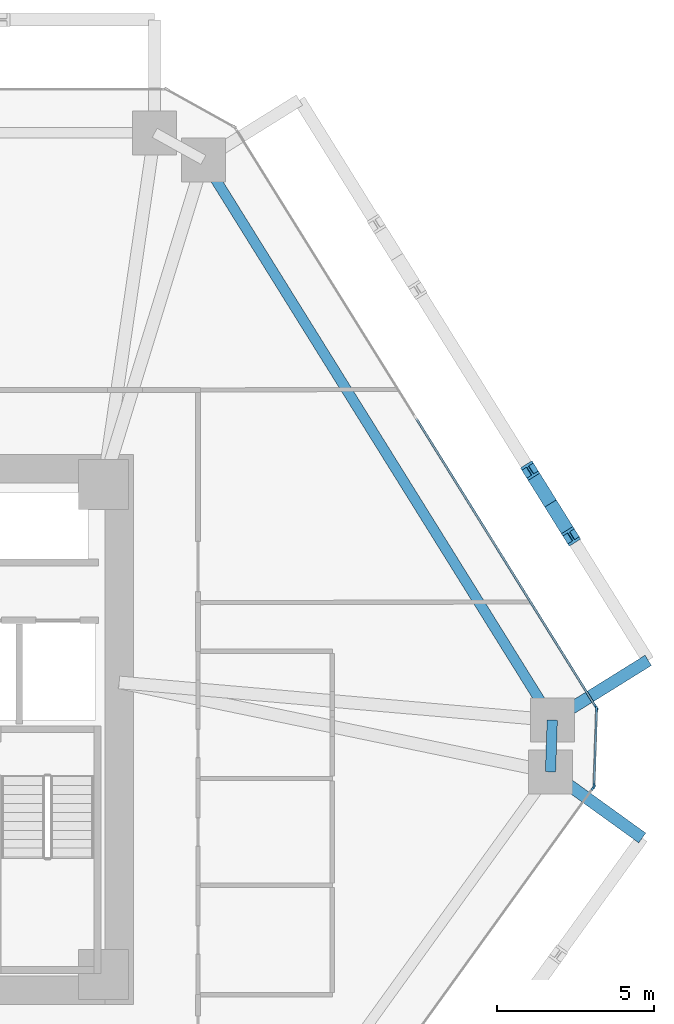
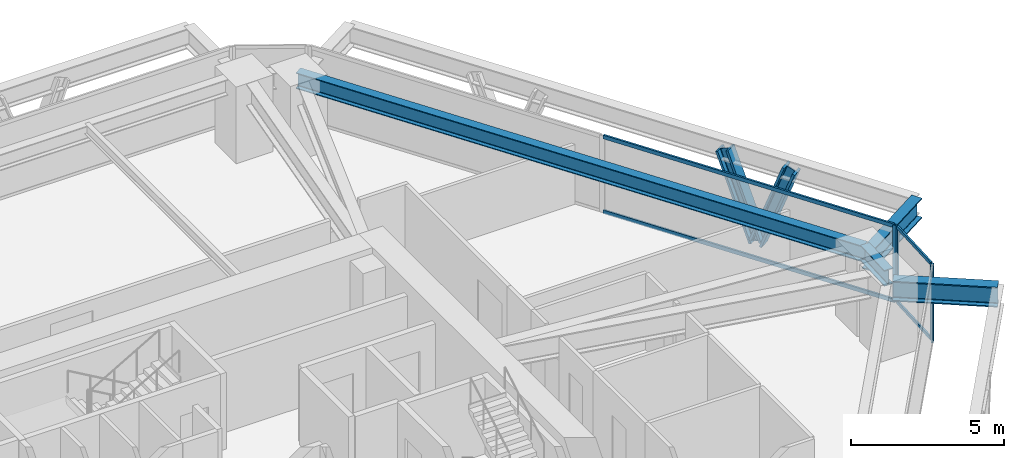
# One storey, part 6 of 14: 10 members, 4 beams, 3 elements without a shape of their own.
"""IFC4 building model written with IfcOpenShell, lengths in metres."""

from ifc_helpers import new_model, si_unit, direction, frame, origin, origin_2d, place, context, subcontext, project, spatial, rectangle, i_section, extrude, source, transform, mapped, material, layer, layer_set, material_profile, profile_set, type_object, type_shapes, element, aggregate, save


model = new_model("IFC4")

# Units and contexts
model_context = context("Model", 3, precision=1e-05, world=origin(), true_north=direction((0.0, 1.0)))
body_context = subcontext(model_context, "Body", "Model", "MODEL_VIEW")
ifc_project = project(units=[si_unit("LENGTHUNIT", "METRE"), si_unit("AREAUNIT", "SQUARE_METRE"), si_unit("VOLUMEUNIT", "CUBIC_METRE"), si_unit("PLANEANGLEUNIT", "RADIAN"), si_unit("MASSUNIT", "GRAM", prefix="KILO")], contexts=[model_context])

# Site, building, storey
site_placement = place(None, origin())
site = spatial("IfcSite", under=ifc_project, at=site_placement, CompositionType="ELEMENT")
building_placement = place(site_placement, origin())
building = spatial("IfcBuilding", under=site, at=building_placement, Name="Durnholm Broadcast Tower", CompositionType="ELEMENT")
storey_placement = place(building_placement, frame((0.0, 0.0, 68.699951171875)))
storey = spatial("IfcBuildingStorey", under=building, at=storey_placement, Name="L17", CompositionType="ELEMENT", Elevation=68.699951171875)

# Beams
ifc_material_1 = material(Name="Steel ASTM A992 Grade 50", Category="steel")
ifc_material_profile_1 = material_profile(ifc_material_1, i_section(OverallWidth=0.3291015625, OverallDepth=0.635009765625, WebThickness=0.017822265625, FlangeThickness=0.031005859375, FilletRadius=0.02783203125, at=origin_2d()), Name="W24X162")
ifc_profile_set_1 = profile_set([ifc_material_profile_1], Name="Steel ASTM A992 Grade 50")
beam_type_1 = type_object("IfcBeamType", Name="STL-SP-W24X162", PredefinedType="SPANDREL", material=ifc_profile_set_1)
shared_shape_1 = source(origin(), body_context, "Body", "SweptSolid", [
    extrude(i_section(OverallWidth=0.3291015625, OverallDepth=0.635009765625, WebThickness=0.017822265625, FlangeThickness=0.031005859375, FilletRadius=0.02783203125, at=origin_2d()), origin(), (0.0, 0.0, 1.0), 21.014404296875),
])
beam_1_placement = place(storey_placement, frame((12.982666015625, 18.138427734375, 2.7275390625), z_axis=(0.528595731543, -0.848873696491, 0.0), x_axis=(0.848873696491, 0.528595731543, 0.0)))
element("IfcBeam", 1, at=beam_1_placement, inside=storey, type_object=beam_type_1, Name="L17 perimeter spandrel girder 07", PredefinedType="SPANDREL", context=body_context, shape_type="MappedRepresentation", body=[
    mapped(shared_shape_1, transform((0.0, 0.0, 0.0), x_axis=(1.0, 0.0, 0.0), y_axis=(0.0, 1.0, 0.0), z_axis=(0.0, 0.0, 1.0), scale=1.0)),
])
shared_shape_2 = source(origin(), body_context, "Body", "SweptSolid", [
    extrude(i_section(OverallWidth=0.3291015625, OverallDepth=0.635009765625, WebThickness=0.017822265625, FlangeThickness=0.031005859375, FilletRadius=0.02783203125, at=origin_2d()), origin(), (0.0, 0.0, 1.0), 1.648193359375),
])
type_shapes(beam_type_1, [shared_shape_1, shared_shape_2])
beam_2_placement = place(storey_placement, frame((24.0908203125, 0.2998046875, 2.7275390625), z_axis=(-0.033921477804, -0.999424501072, 0.0), x_axis=(0.999424501072, -0.033921477804, 0.0)))
element("IfcBeam", 2, at=beam_2_placement, inside=storey, type_object=beam_type_1, Name="L17 perimeter spandrel girder 08", PredefinedType="SPANDREL", context=body_context, shape_type="MappedRepresentation", body=[
    mapped(shared_shape_2, transform((0.0, 0.0, 0.0), x_axis=(1.0, 0.0, 0.0), y_axis=(0.0, 1.0, 0.0), z_axis=(0.0, 0.0, 1.0), scale=1.0)),
])
ifc_material_profile_2 = material_profile(ifc_material_1, i_section(OverallWidth=0.385009765625, OverallDepth=0.802978515625, WebThickness=0.023681640625, FlangeThickness=0.0419921875, FilletRadius=0.032958984375, at=origin_2d()), Name="W30X261")
ifc_profile_set_2 = profile_set([ifc_material_profile_2], Name="Steel ASTM A992 Grade 50")
beam_type_2 = type_object("IfcBeamType", Name="BM-EXO-TIE", PredefinedType="USERDEFINED", material=ifc_profile_set_2)
shared_shape_3 = source(origin(), body_context, "Body", "SweptSolid", [
    extrude(i_section(OverallWidth=0.385009765625, OverallDepth=0.802978515625, WebThickness=0.023681640625, FlangeThickness=0.0419921875, FilletRadius=0.032958984375, at=origin_2d()), origin(), (0.0, 0.0, 1.0), 3.4560546875),
])
beam_3_placement = place(storey_placement, frame((24.212890625, 0.375732421875, 2.30859375), z_axis=(0.848874183218, 0.528594949906, 0.0), x_axis=(-0.528594949906, 0.848874183218, 0.0)))
element("IfcBeam", 3, at=beam_3_placement, inside=storey, type_object=beam_type_2, Name="L17 exoskeleton stand-off tie bracket F3.1", ObjectType="GIRDER", PredefinedType="USERDEFINED", context=body_context, shape_type="MappedRepresentation", body=[
    mapped(shared_shape_3, transform((0.0, 0.0, 0.0), x_axis=(1.0, 0.0, 0.0), y_axis=(0.0, 1.0, 0.0), z_axis=(0.0, 0.0, 1.0), scale=1.0)),
])
shared_shape_4 = source(origin(), body_context, "Body", "SweptSolid", [
    extrude(i_section(OverallWidth=0.385009765625, OverallDepth=0.802978515625, WebThickness=0.023681640625, FlangeThickness=0.0419921875, FilletRadius=0.032958984375, at=origin_2d()), origin(), (0.0, 0.0, 1.0), 3.455810546875),
])
type_shapes(beam_type_2, [shared_shape_3, shared_shape_4])
beam_4_placement = place(storey_placement, frame((24.15185546875, -1.431396484375, 2.30859375), z_axis=(0.811133512552, -0.584861030344, 0.0), x_axis=(0.584861030344, 0.811133512552, 0.0)))
element("IfcBeam", 4, at=beam_4_placement, inside=storey, type_object=beam_type_2, Name="L17 exoskeleton stand-off tie bracket F2.2", ObjectType="GIRDER", PredefinedType="USERDEFINED", context=body_context, shape_type="MappedRepresentation", body=[
    mapped(shared_shape_4, transform((0.0, 0.0, 0.0), x_axis=(1.0, 0.0, 0.0), y_axis=(0.0, 1.0, 0.0), z_axis=(0.0, 0.0, 1.0), scale=1.0)),
])

# Members
ifc_material_2 = material(Name="Steel ASTM A913 Grade 65", Category="steel")
ifc_material_profile_3 = material_profile(ifc_material_2, i_section(OverallWidth=0.43212890625, OverallDepth=0.497802734375, WebThickness=0.0556640625, FlangeThickness=0.0888671875, FilletRadius=0.030517578125, at=origin_2d()), Name="W14X500")
ifc_profile_set_3 = profile_set([ifc_material_profile_3], Name="Steel ASTM A913 Grade 65")
member_type_1 = type_object("IfcMemberType", Name="STL-DG-W14X500", PredefinedType="BRACE", material=ifc_profile_set_3)
shared_shape_5 = source(origin(), body_context, "Body", "SweptSolid", [
    extrude(i_section(OverallWidth=0.43212890625, OverallDepth=0.497802734375, WebThickness=0.0556640625, FlangeThickness=0.0888671875, FilletRadius=0.030517578125, at=origin_2d()), origin(), (0.0, 0.0, 1.0), 3.523193359375),
])
type_shapes(member_type_1, [shared_shape_5])
for number, where, z_axis, x_axis, name in (
    (5, (24.036376953125, 7.197509765625, -0.991455078125), (0.185157304084, -0.297277258428, 0.936665897941), (0.848819847179, 0.528682198523, 0.0), "L17 stand-off diagrid brace F3.D1.1"),
    (6, (24.036376953125, 7.197509765625, -0.991455078125), (-0.185090383068, 0.297281072018, 0.936677913861), (-0.848908635391, -0.528539618911, 0.0), "L17 stand-off diagrid brace F3.D1.2"),
):
    element("IfcMember", number, at=place(storey_placement, frame(where, z_axis=z_axis, x_axis=x_axis)), inside=storey, type_object=member_type_1, Name=name, PredefinedType="BRACE", context=body_context, shape_type="MappedRepresentation", body=[
        mapped(shared_shape_5, transform((0.0, 0.0, 0.0), x_axis=(1.0, 0.0, 0.0), y_axis=(0.0, 1.0, 0.0), z_axis=(0.0, 0.0, 1.0), scale=1.0)),
    ])

# Curtain wall, members
ifc_material_3 = material(Name="Aluminium and Solar Control IGU", Category="aluminium")
ifc_layer_1 = layer(ifc_material_3, 0.1650390625)
ifc_layer_set_1 = layer_set([ifc_layer_1], Name="Aluminium and Solar Control IGU")
curtain_wall_type_1 = type_object("IfcCurtainWallType", Name="CW-SYS-5", PredefinedType="NOTDEFINED", material=ifc_layer_set_1)
curtain_wall_1_placement = place(storey_placement, origin())
curtain_wall_1 = element("IfcCurtainWall", 7, at=curtain_wall_1_placement, inside=storey, type_object=curtain_wall_type_1, Name="L17 curtain wall CW-CORNER CW-L17-CRN-07", PredefinedType="NOTDEFINED")
ifc_material_4 = material(Name="Aluminium 6063-T6", Category="aluminium")
ifc_material_profile_4 = material_profile(ifc_material_4, rectangle(XDim=0.06494140625, YDim=0.1650390625, at=origin_2d()), Name="CWM65X165")
ifc_profile_set_4 = profile_set([ifc_material_profile_4], Name="Aluminium 6063-T6")
member_type_2 = type_object("IfcMemberType", Name="CW-SYS-5-MUL", PredefinedType="MULLION", material=ifc_profile_set_4)
shared_shape_6 = source(origin(), body_context, "Body", "SweptSolid", [
    extrude(rectangle(XDim=0.06494140625, YDim=0.1650390625, at=origin_2d()), origin(), (0.0, 0.0, 1.0), 3.06005859375),
])
type_shapes(member_type_2, [shared_shape_6])
member_1_placement = place(storey_placement, frame((25.50341796875, 0.6455078125, 0.0), z_axis=(0.0, 0.0, 1.0), x_axis=(0.999427277772, -0.033839569233, 0.0)))
member_1 = element("IfcMember", 8, at=member_1_placement, type_object=member_type_2, Name="CW-CORNER mullion 1", PredefinedType="MULLION", context=body_context, shape_type="MappedRepresentation", body=[
    mapped(shared_shape_6, transform((0.0, 0.0, 0.0), x_axis=(1.0, 0.0, 0.0), y_axis=(0.0, 1.0, 0.0), z_axis=(0.0, 0.0, 1.0), scale=1.0)),
])
member_2_placement = place(storey_placement, frame((25.4208984375, -1.7880859375, 0.0), z_axis=(0.0, 0.0, 1.0), x_axis=(0.999427277772, -0.033839569233, 0.0)))
member_2 = element("IfcMember", 9, at=member_2_placement, type_object=member_type_2, Name="CW-CORNER mullion 2", PredefinedType="MULLION", context=body_context, shape_type="MappedRepresentation", body=[
    mapped(shared_shape_6, transform((0.0, 0.0, 0.0), x_axis=(1.0, 0.0, 0.0), y_axis=(0.0, 1.0, 0.0), z_axis=(0.0, 0.0, 1.0), scale=1.0)),
])
ifc_material_profile_5 = material_profile(ifc_material_4, rectangle(XDim=0.06494140625, YDim=0.1298828125, at=origin_2d()), Name="CWT65X130")
ifc_profile_set_5 = profile_set([ifc_material_profile_5], Name="Aluminium 6063-T6")
member_type_3 = type_object("IfcMemberType", Name="CW-SYS-5-TRN", PredefinedType="USERDEFINED", material=ifc_profile_set_5)
shared_shape_7 = source(origin(), body_context, "Body", "SweptSolid", [
    extrude(rectangle(XDim=0.06494140625, YDim=0.1298828125, at=origin_2d()), origin(), (0.0, 0.0, 1.0), 2.3701171875),
])
type_shapes(member_type_3, [shared_shape_7])
member_3_placement = place(storey_placement, frame((25.502197265625, 0.613037109375, 0.032470703125), z_axis=(-0.033788158898, -0.999429017148, 0.0), x_axis=(0.999429017148, -0.033788158898, 0.0)))
member_3 = element("IfcMember", 10, at=member_3_placement, type_object=member_type_3, Name="CW-CORNER transom 1.1", ObjectType="TRANSOM", PredefinedType="USERDEFINED", context=body_context, shape_type="MappedRepresentation", body=[
    mapped(shared_shape_7, transform((0.0, 0.0, 0.0), x_axis=(1.0, 0.0, 0.0), y_axis=(0.0, 1.0, 0.0), z_axis=(0.0, 0.0, 1.0), scale=1.0)),
])
member_4_placement = place(storey_placement, frame((25.502197265625, 0.613037109375, 3.027587890625), z_axis=(-0.033788158898, -0.999429017148, 0.0), x_axis=(0.999429017148, -0.033788158898, 0.0)))
member_4 = element("IfcMember", 11, at=member_4_placement, type_object=member_type_3, Name="CW-CORNER transom 1.2", ObjectType="TRANSOM", PredefinedType="USERDEFINED", context=body_context, shape_type="MappedRepresentation", body=[
    mapped(shared_shape_7, transform((0.0, 0.0, 0.0), x_axis=(1.0, 0.0, 0.0), y_axis=(0.0, 1.0, 0.0), z_axis=(0.0, 0.0, 1.0), scale=1.0)),
])
aggregate(curtain_wall_1, [member_1, member_2, member_3, member_4])

# Curtain wall, member
ifc_layer_2 = layer(ifc_material_3, 0.18994140625)
ifc_layer_set_2 = layer_set([ifc_layer_2], Name="Aluminium and Solar Control IGU")
curtain_wall_type_2 = type_object("IfcCurtainWallType", Name="CW-SYS-3", PredefinedType="NOTDEFINED", material=ifc_layer_set_2)
curtain_wall_2_placement = place(storey_placement, origin())
curtain_wall_2 = element("IfcCurtainWall", 12, at=curtain_wall_2_placement, inside=storey, type_object=curtain_wall_type_2, Name="L17 curtain wall CW-Z12-VIS CW-L17-F06", PredefinedType="NOTDEFINED")
ifc_material_profile_6 = material_profile(ifc_material_4, rectangle(XDim=0.070068359375, YDim=0.18994140625, at=origin_2d()), Name="CWM70X190")
ifc_profile_set_6 = profile_set([ifc_material_profile_6], Name="Aluminium 6063-T6")
member_type_4 = type_object("IfcMemberType", Name="CW-SYS-3-MUL", PredefinedType="MULLION", material=ifc_profile_set_6)
shared_shape_8 = source(origin(), body_context, "Body", "SweptSolid", [
    extrude(rectangle(XDim=0.070068359375, YDim=0.18994140625, at=origin_2d()), origin(), (0.0, 0.0, 1.0), 3.06005859375),
])
type_shapes(member_type_4, [shared_shape_8])
member_5_placement = place(storey_placement, frame((25.48583984375, 0.707763671875, 0.0), z_axis=(0.0, 0.0, 1.0), x_axis=(0.848875785503, 0.528592376777, 0.0)))
member_5 = element("IfcMember", 13, at=member_5_placement, type_object=member_type_4, Name="CW-Z12-VIS mullion 3", PredefinedType="MULLION", context=body_context, shape_type="MappedRepresentation", body=[
    mapped(shared_shape_8, transform((0.0, 0.0, 0.0), x_axis=(1.0, 0.0, 0.0), y_axis=(0.0, 1.0, 0.0), z_axis=(0.0, 0.0, 1.0), scale=1.0)),
])

curtain_wall_3_placement = place(storey_placement, origin())
curtain_wall_3 = element("IfcCurtainWall", 14, at=curtain_wall_3_placement, inside=storey, type_object=curtain_wall_type_2, Name="L17 curtain wall CW-Z12-VIS CW-L17-F08", PredefinedType="NOTDEFINED")
member_6_placement = place(storey_placement, frame((25.3994140625, -1.848876953125, 0.0), z_axis=(0.0, 0.0, 1.0), x_axis=(0.81116057493, -0.584823496176, 0.0)))
member_6 = element("IfcMember", 15, at=member_6_placement, type_object=member_type_4, Name="CW-Z12-VIS mullion 1", PredefinedType="MULLION", context=body_context, shape_type="MappedRepresentation", body=[
    mapped(shared_shape_8, transform((0.0, 0.0, 0.0), x_axis=(1.0, 0.0, 0.0), y_axis=(0.0, 1.0, 0.0), z_axis=(0.0, 0.0, 1.0), scale=1.0)),
])
aggregate(curtain_wall_3, [member_6])

# Member
ifc_material_profile_7 = material_profile(ifc_material_4, rectangle(XDim=0.070068359375, YDim=0.14990234375, at=origin_2d()), Name="CWT70X150")
ifc_profile_set_7 = profile_set([ifc_material_profile_7], Name="Aluminium 6063-T6")
member_type_5 = type_object("IfcMemberType", Name="CW-SYS-3-TRN", PredefinedType="USERDEFINED", material=ifc_profile_set_7)
shared_shape_9 = source(origin(), body_context, "Body", "SweptSolid", [
    extrude(rectangle(XDim=0.070068359375, YDim=0.14990234375, at=origin_2d()), origin(), (0.0, 0.0, 1.0), 10.796630859375),
])
type_shapes(member_type_5, [shared_shape_9])
member_7_placement = place(storey_placement, frame((19.760498046875, 9.902587890625, 0.03515625), z_axis=(0.528575362968, -0.848886379714, 0.0), x_axis=(0.848886379714, 0.528575362968, 0.0)))
member_7 = element("IfcMember", 16, at=member_7_placement, type_object=member_type_5, Name="CW-Z12-VIS transom 2.1", ObjectType="TRANSOM", PredefinedType="USERDEFINED", context=body_context, shape_type="MappedRepresentation", body=[
    mapped(shared_shape_9, transform((0.0, 0.0, 0.0), x_axis=(1.0, 0.0, 0.0), y_axis=(0.0, 1.0, 0.0), z_axis=(0.0, 0.0, 1.0), scale=1.0)),
])

member_8_placement = place(storey_placement, frame((19.760498046875, 9.902587890625, 3.025146484375), z_axis=(0.528575362968, -0.848886379714, 0.0), x_axis=(0.848886379714, 0.528575362968, 0.0)))
member_8 = element("IfcMember", 17, at=member_8_placement, type_object=member_type_5, Name="CW-Z12-VIS transom 2.2", ObjectType="TRANSOM", PredefinedType="USERDEFINED", context=body_context, shape_type="MappedRepresentation", body=[
    mapped(shared_shape_9, transform((0.0, 0.0, 0.0), x_axis=(1.0, 0.0, 0.0), y_axis=(0.0, 1.0, 0.0), z_axis=(0.0, 0.0, 1.0), scale=1.0)),
])

aggregate(curtain_wall_2, [member_5, member_7, member_8])

save(model, "model.ifc")
